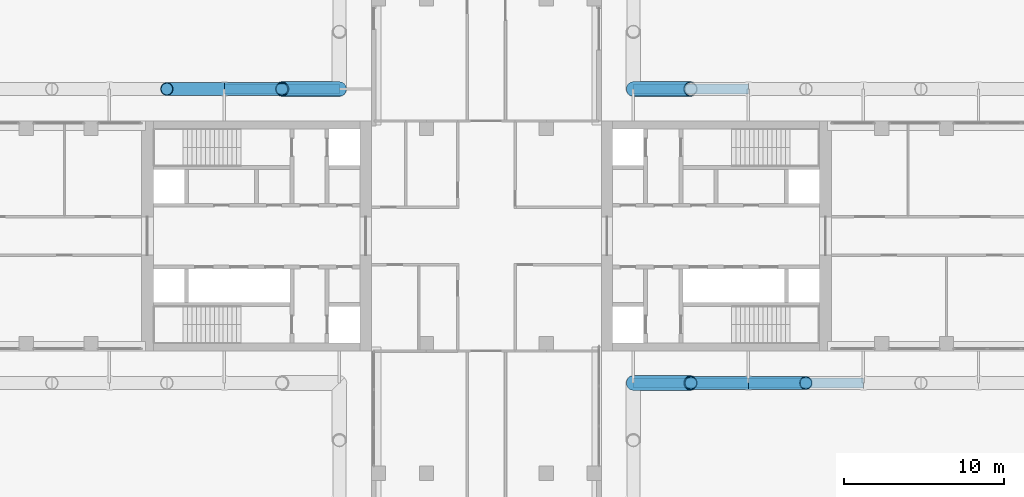
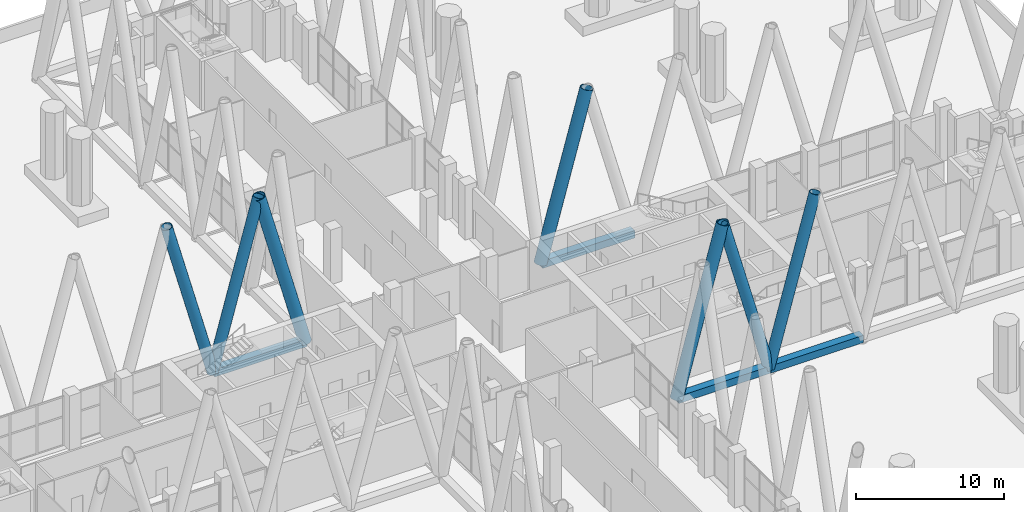
# One storey, part 7 of 31: 11 members.
"""IFC4 building model written with IfcOpenShell, lengths in metres."""

from ifc_helpers import new_model, si_unit, direction, frame, origin, origin_2d, place, context, subcontext, project, spatial, hollow_rectangle, hollow_circle, extrude, material, material_profile, profile_set, type_object, element, save


model = new_model("IFC4")

# Units and contexts
model_context = context("Model", 3, precision=1e-05, world=origin(), true_north=direction((0.0, 1.0)))
body_context = subcontext(model_context, "Body", "Model", "MODEL_VIEW")
ifc_project = project(units=[si_unit("LENGTHUNIT", "METRE"), si_unit("AREAUNIT", "SQUARE_METRE"), si_unit("VOLUMEUNIT", "CUBIC_METRE"), si_unit("PLANEANGLEUNIT", "RADIAN"), si_unit("MASSUNIT", "GRAM", prefix="KILO")], contexts=[model_context])

# Site, building, storey
site_placement = place(None, origin())
site = spatial("IfcSite", under=ifc_project, at=site_placement, CompositionType="ELEMENT")
building_placement = place(site_placement, origin())
building = spatial("IfcBuilding", under=site, at=building_placement, Name="Fustian Cross Tower", CompositionType="ELEMENT")
storey_placement = place(building_placement, frame((0.0, 0.0, 7.199951171875)))
storey = spatial("IfcBuildingStorey", under=building, at=storey_placement, Name="L01", CompositionType="ELEMENT", Elevation=7.199951171875)

# Members
ifc_material_1 = material(Name="Steel S355", Category="steel")
ifc_material_profile_1 = material_profile(ifc_material_1, hollow_circle(Radius=0.406494140625, WallThickness=0.0400390625, at=origin_2d()), Name="CHS 813x40")
ifc_profile_set_1 = profile_set([ifc_material_profile_1], Name="Steel S355")
member_type_1 = type_object("IfcMemberType", Name="DIAGRID DIAGONAL CHS 813x40", PredefinedType="BRACE", material=ifc_profile_set_1)
for number, where, z_axis, x_axis, name in (
    (1, (16.39990234375, -9.199951171875, 0.300048828125), (-0.263108346568, 0.0, 0.964766291889), (0.0, -1.0, 0.0), "Diagrid diagonal E-S 02"),
    (2, (16.39990234375, -9.199951171875, 0.300048828125), (0.263124955092, 0.0, 0.964761762306), (0.0, 1.0, 0.0), "Diagrid diagonal E-S 03"),
    (3, (-16.39990234375, 9.199951171875, 0.300048828125), (0.263108346568, 0.0, 0.964766291889), (0.0, 1.0, 0.0), "Diagrid diagonal W-N 02"),
    (4, (-16.39990234375, 9.199951171875, 0.300048828125), (-0.263124955092, 0.0, 0.964761762306), (0.0, -1.0, 0.0), "Diagrid diagonal W-N 03"),
):
    element("IfcMember", number, at=place(storey_placement, frame(where, z_axis=z_axis, x_axis=x_axis)), inside=storey, type_object=member_type_1, Name=name, PredefinedType="BRACE", context=body_context, shape_type="SweptSolid", body=[
        extrude(hollow_circle(Radius=0.406494140625, WallThickness=0.0400390625, at=origin_2d()), origin(), (0.0, 0.0, 1.0), 13.68212890625),
    ])
ifc_material_2 = material(Name="Steel S355", Category="steel")
ifc_material_profile_2 = material_profile(ifc_material_2, hollow_circle(Radius=0.457275390625, WallThickness=0.050048828125, at=origin_2d()), Name="CHS 914x50")
ifc_profile_set_2 = profile_set([ifc_material_profile_2], Name="Steel S355")
member_type_2 = type_object("IfcMemberType", Name="DIAGRID DIAGONAL CHS 914x50", PredefinedType="BRACE", material=ifc_profile_set_2)
for number, where, z_axis, x_axis, name in (
    (5, (9.199951171875, -9.199951171875, 0.300048828125), (0.263124955092, 0.0, 0.964761762306), (0.0, 1.0, 0.0), "Diagrid diagonal E-S 01"),
    (6, (9.199951171875, 9.199951171875, 0.300048828125), (0.263124955092, 0.0, 0.964761762306), (0.0, 1.0, 0.0), "Diagrid diagonal E-N 10"),
    (7, (-9.199951171875, 9.199951171875, 0.300048828125), (-0.263124955092, 0.0, 0.964761762306), (0.0, -1.0, 0.0), "Diagrid diagonal W-N 01"),
):
    element("IfcMember", number, at=place(storey_placement, frame(where, z_axis=z_axis, x_axis=x_axis)), inside=storey, type_object=member_type_2, Name=name, PredefinedType="BRACE", context=body_context, shape_type="SweptSolid", body=[
        extrude(hollow_circle(Radius=0.457275390625, WallThickness=0.050048828125, at=origin_2d()), origin(), (0.0, 0.0, 1.0), 13.68212890625),
    ])
ifc_material_3 = material(Name="Steel S355", Category="steel")
ifc_material_profile_3 = material_profile(ifc_material_3, hollow_rectangle(XDim=0.60009765625, YDim=0.60009765625, WallThickness=0.030029296875, at=origin_2d()), Name="RHS 600x600x30")
ifc_profile_set_3 = profile_set([ifc_material_profile_3], Name="Steel S355")
member_type_3 = type_object("IfcMemberType", Name="DIAGRID RING RHS 600x600x30", PredefinedType="MEMBER", material=ifc_profile_set_3)
for number, where, z_axis, x_axis, name in (
    (8, (16.39990234375, 9.199951171875, 0.300048828125), (-1.0, 0.0, 0.0), (0.0, -1.0, 0.0), "Diagrid ring L01-06 L01-07"),
    (9, (-9.199951171875, 9.199951171875, 0.300048828125), (-1.0, 0.0, 0.0), (0.0, -1.0, 0.0), "Diagrid ring L01-19 L01-20"),
    (10, (9.199951171875, -9.199951171875, 0.300048828125), (1.0, 0.0, 0.0), (0.0, 1.0, 0.0), "Diagrid ring L01-44 L01-45"),
):
    element("IfcMember", number, at=place(storey_placement, frame(where, z_axis=z_axis, x_axis=x_axis)), inside=storey, type_object=member_type_3, Name=name, PredefinedType="MEMBER", context=body_context, shape_type="SweptSolid", body=[
        extrude(hollow_rectangle(XDim=0.60009765625, YDim=0.60009765625, WallThickness=0.030029296875, at=origin_2d()), origin(), (0.0, 0.0, 1.0), 7.199951171875),
    ])
member_placement = place(storey_placement, frame((16.39990234375, -9.199951171875, 0.300048828125), z_axis=(1.0, 0.0, 0.0), x_axis=(0.0, 1.0, 0.0)))
element("IfcMember", 11, at=member_placement, inside=storey, type_object=member_type_3, Name="Diagrid ring L01-45 L01-46", PredefinedType="MEMBER", context=body_context, shape_type="SweptSolid", body=[
    extrude(hollow_rectangle(XDim=0.60009765625, YDim=0.60009765625, WallThickness=0.030029296875, at=origin_2d()), origin(), (0.0, 0.0, 1.0), 7.2001953125),
])

save(model, "model.ifc")
